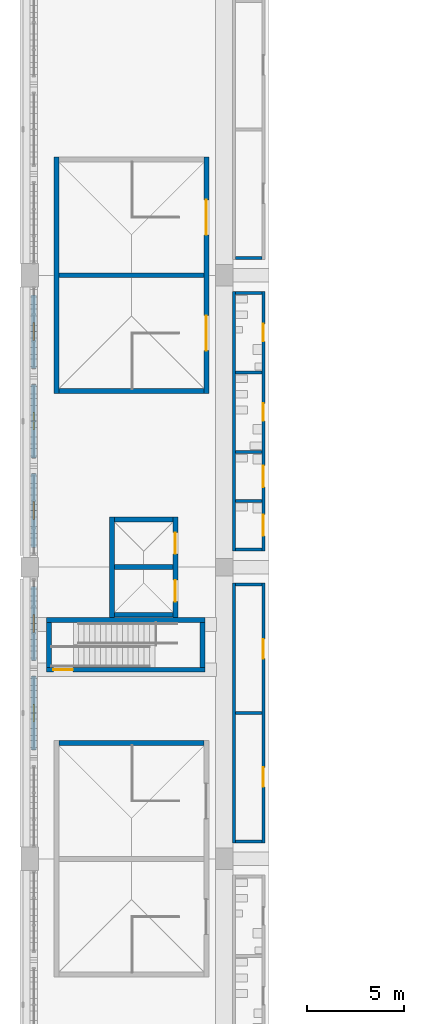
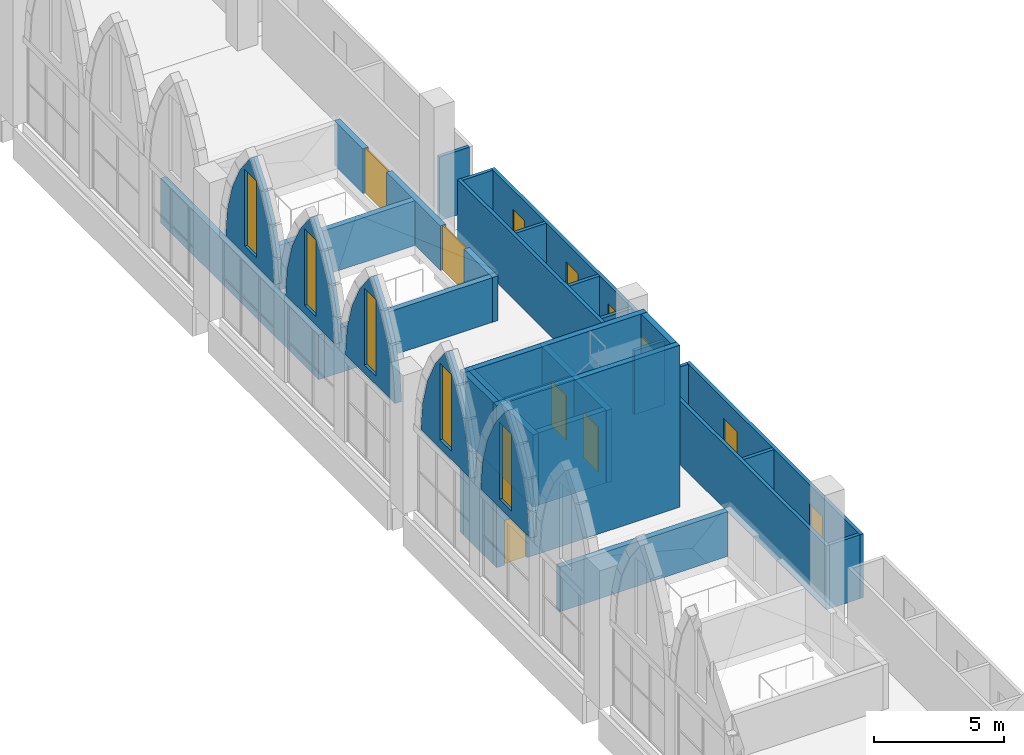
# One storey, part 71 of 130: 32 walls, 11 doors, 5 windows, 16 openings.
"""IFC4 building model written with IfcOpenShell, lengths in metres."""

from ifc_helpers import new_model, si_unit, direction, frame, frame_2d, origin, place, context, subcontext, project, spatial, polyline, rectangle, outline, extrude, material, layer, layer_set, type_object, element, fill, save


model = new_model("IFC4")

# Units and contexts
model_context = context("Model", 3, precision=1e-05, world=origin(), true_north=direction((0.0, 1.0)))
body_context = subcontext(model_context, "Body", "Model", "MODEL_VIEW")
ifc_project = project(units=[si_unit("LENGTHUNIT", "METRE"), si_unit("AREAUNIT", "SQUARE_METRE"), si_unit("VOLUMEUNIT", "CUBIC_METRE"), si_unit("PLANEANGLEUNIT", "RADIAN"), si_unit("MASSUNIT", "GRAM", prefix="KILO")], contexts=[model_context])

# Site, building, storey
site_placement = place(None, origin())
site = spatial("IfcSite", under=ifc_project, at=site_placement, CompositionType="ELEMENT")
building_placement = place(site_placement, origin())
building = spatial("IfcBuilding", under=site, at=building_placement, Name="Ogive Plaza Stadium", CompositionType="ELEMENT")
storey_placement = place(building_placement, frame((0.0, 0.0, 22.5)))
storey = spatial("IfcBuildingStorey", under=building, at=storey_placement, Name="L05", CompositionType="ELEMENT", Elevation=22.5)

# Wall, openings, doors
ifc_material_1 = material(Name="Masonry blockwork", Category="masonry")
ifc_layer_1 = layer(ifc_material_1, 0.14990234375)
ifc_layer_set_1 = layer_set([ifc_layer_1], Name="Blockwork wall 150")
wall_type_1 = type_object("IfcWallType", Name="Blockwork wall 150", PredefinedType="SOLIDWALL", material=ifc_layer_set_1)
wall_1_placement = place(storey_placement, frame((-72.0, -6.675048828125, 0.0), z_axis=(0.0, 0.0, 1.0), x_axis=(0.0, 1.0, 0.0)))
wall_1 = element("IfcWall", 1, at=wall_1_placement, inside=storey, type_object=wall_type_1, Name="Wall L05 B24", PredefinedType="SOLIDWALL", context=body_context, shape_type="SweptSolid", body=[
    extrude(rectangle(XDim=13.35009765625, YDim=0.14990234375, at=frame_2d((6.675048828125, 0.0))), origin(), (0.0, 0.0, 1.0), 3.0),
])
opening_1_placement = place(wall_1_placement, frame((2.875, 0.0, 0.0)))
opening_1 = element("IfcOpeningElement", 2, at=opening_1_placement, cuts=wall_1, Name="Opening D0987", PredefinedType="OPENING", context=body_context, shape_type="SweptSolid", body=[
    extrude(rectangle(XDim=1.0, YDim=2.10009765625, at=frame_2d((0.5, 1.050048828125))), frame((0.0, 0.074951171875, 0.0), z_axis=(0.0, -1.0, 0.0), x_axis=(1.0, 0.0, 0.0)), (0.0, 0.0, 1.0), 0.14990234375),
])
opening_2_placement = place(wall_1_placement, frame((9.47509765625, 0.0, 0.0)))
opening_2 = element("IfcOpeningElement", 3, at=opening_2_placement, cuts=wall_1, Name="Opening D0988", PredefinedType="OPENING", context=body_context, shape_type="SweptSolid", body=[
    extrude(rectangle(XDim=1.0, YDim=2.10009765625, at=frame_2d((0.5, 1.050048828125))), frame((0.0, 0.074951171875, 0.0), z_axis=(0.0, -1.0, 0.0), x_axis=(1.0, 0.0, 0.0)), (0.0, 0.0, 1.0), 0.14990234375),
])
ifc_material_2 = material(Name="Steel ASTM A572 Grade 50", Category="steel")
door_type_1 = type_object("IfcDoorType", Name="Door 1000 x 2100", OperationType="SINGLE_SWING_LEFT", PredefinedType="DOOR", material=ifc_material_2)
door_1_placement = place(opening_1_placement, origin())
door_1 = element("IfcDoor", 4, at=door_1_placement, inside=storey, type_object=door_type_1, Name="Concession Stand B24 door", OperationType="SINGLE_SWING_LEFT", OverallHeight=2.10009765625, OverallWidth=1.0, PredefinedType="DOOR", context=body_context, shape_type="SweptSolid", body=[
    extrude(rectangle(XDim=1.0, YDim=2.10009765625, at=frame_2d((0.5, 1.050048828125))), frame((0.0, 0.02490234375, 0.0), z_axis=(0.0, -1.0, 0.0), x_axis=(1.0, 0.0, 0.0)), (0.0, 0.0, 1.0), 0.050048828125),
])
fill(opening_1, door_1)
door_2_placement = place(opening_2_placement, origin())
door_2 = element("IfcDoor", 5, at=door_2_placement, inside=storey, type_object=door_type_1, Name="Concession Stand B24 door", OperationType="SINGLE_SWING_RIGHT", OverallHeight=2.10009765625, OverallWidth=1.0, PredefinedType="DOOR", context=body_context, shape_type="SweptSolid", body=[
    extrude(rectangle(XDim=1.0, YDim=2.10009765625, at=frame_2d((0.5, 1.050048828125))), frame((0.0, 0.02490234375, 0.0), z_axis=(0.0, -1.0, 0.0), x_axis=(1.0, 0.0, 0.0)), (0.0, 0.0, 1.0), 0.050048828125),
])
fill(opening_2, door_2)

# Walls
wall_2_placement = place(storey_placement, frame((-73.5, -6.675048828125, 0.0), z_axis=(0.0, 0.0, 1.0), x_axis=(0.0, 1.0, 0.0)))
element("IfcWall", 6, at=wall_2_placement, inside=storey, type_object=wall_type_1, Name="Wall L05 B24", PredefinedType="SOLIDWALL", context=body_context, shape_type="SweptSolid", body=[
    extrude(rectangle(XDim=13.35009765625, YDim=0.14990234375, at=frame_2d((6.675048828125, 0.0))), origin(), (0.0, 0.0, 1.0), 3.0),
])
for number, where, z_axis, x_axis, name in (
    (7, (-72.074951171875, -6.60009765625, 0.0), (0.0, 0.0, 1.0), (-1.0, 0.0, 0.0), "Wall L05 B24"),
    (8, (-72.074951171875, 0.0, 0.0), (0.0, 0.0, 1.0), (-1.0, 0.0, 0.0), "Wall L05 B24"),
    (9, (-72.074951171875, 6.60009765625, 0.0), (0.0, 0.0, 1.0), (-1.0, 0.0, 0.0), "Wall L05 B24"),
    (10, (-72.074951171875, 23.39990234375, 0.0), (0.0, 0.0, 1.0), (-1.0, 0.0, 0.0), "Wall L05 B26"),
):
    element("IfcWall", number, at=place(storey_placement, frame(where, z_axis=z_axis, x_axis=x_axis)), inside=storey, type_object=wall_type_1, Name=name, PredefinedType="SOLIDWALL", context=body_context, shape_type="SweptSolid", body=[
        extrude(rectangle(XDim=1.35009765625, YDim=0.14990234375, at=frame_2d((0.675048828125, 0.0))), origin(), (0.0, 0.0, 1.0), 3.0),
    ])
ifc_material_3 = material(Name="Concrete C40/50", Category="concrete")
ifc_layer_2 = layer(ifc_material_3, 0.25)
ifc_layer_set_2 = layer_set([ifc_layer_2], Name="Concrete C40/50")
wall_type_2 = type_object("IfcWallType", Name="Core wall 250", PredefinedType="SHEAR", material=ifc_layer_set_2)
wall_3_placement = place(storey_placement, frame((-75.050048828125, -1.550048828125, 0.0), z_axis=(0.0, 0.0, 1.0), x_axis=(-1.0, 0.0, 0.0)))
element("IfcWall", 11, at=wall_3_placement, inside=storey, type_object=wall_type_2, Name="Stair core R24 side wall", PredefinedType="SHEAR", context=body_context, shape_type="SweptSolid", body=[
    extrude(rectangle(XDim=7.4599609375, YDim=0.25, at=frame_2d((3.72998046875, 0.0))), origin(), (0.0, 0.0, 1.0), 2.10009765625),
])

# Wall, openings, doors
wall_4_placement = place(storey_placement, frame((-74.925048828125, 28.574951171875, 0.0), z_axis=(0.0, 0.0, 1.0), x_axis=(0.0, -1.0, 0.0)))
wall_4 = element("IfcWall", 12, at=wall_4_placement, inside=storey, type_object=wall_type_2, Name="Stair core R26 inner wall", PredefinedType="SHEAR", context=body_context, shape_type="SweptSolid", body=[
    extrude(rectangle(XDim=12.14990234375, YDim=0.25, at=frame_2d((6.074951171875, 0.0))), origin(), (0.0, 0.0, 1.0), 2.10009765625),
])
opening_3_placement = place(wall_4_placement, frame((2.199951171875, 0.0, 0.0)))
opening_3 = element("IfcOpeningElement", 13, at=opening_3_placement, cuts=wall_4, Name="Opening D0207", PredefinedType="OPENING", context=body_context, shape_type="SweptSolid", body=[
    extrude(rectangle(XDim=1.800048828125, YDim=2.10009765625, at=frame_2d((0.89990234375, 1.050048828125))), frame((0.0, 0.125, 0.0), z_axis=(0.0, -1.0, 0.0), x_axis=(1.0, 0.0, 0.0)), (0.0, 0.0, 1.0), 0.25),
])
opening_4_placement = place(wall_4_placement, frame((8.14990234375, 0.0, 0.0)))
opening_4 = element("IfcOpeningElement", 14, at=opening_4_placement, cuts=wall_4, Name="Opening D0208", PredefinedType="OPENING", context=body_context, shape_type="SweptSolid", body=[
    extrude(rectangle(XDim=1.800048828125, YDim=2.10009765625, at=frame_2d((0.89990234375, 1.050048828125))), frame((0.0, 0.125, 0.0), z_axis=(0.0, -1.0, 0.0), x_axis=(1.0, 0.0, 0.0)), (0.0, 0.0, 1.0), 0.25),
])
ifc_material_4 = material(Name="Steel ASTM A572 Grade 50", Category="steel")
door_type_2 = type_object("IfcDoorType", Name="Fire door FD90 pair 1800 x 2100", OperationType="DOUBLE_DOOR_SINGLE_SWING", PredefinedType="DOOR", material=ifc_material_4)
door_3_placement = place(opening_3_placement, origin())
door_3 = element("IfcDoor", 15, at=door_3_placement, inside=storey, type_object=door_type_2, Name="Exit stair R26A door L05", OperationType="DOUBLE_DOOR_SINGLE_SWING", OverallHeight=2.10009765625, OverallWidth=1.800048828125, PredefinedType="DOOR", context=body_context, shape_type="SweptSolid", body=[
    extrude(rectangle(XDim=1.800048828125, YDim=2.10009765625, at=frame_2d((0.89990234375, 1.050048828125))), frame((0.0, 0.02490234375, 0.0), z_axis=(0.0, -1.0, 0.0), x_axis=(1.0, 0.0, 0.0)), (0.0, 0.0, 1.0), 0.050048828125),
])
fill(opening_3, door_3)
door_4_placement = place(opening_4_placement, origin())
door_4 = element("IfcDoor", 16, at=door_4_placement, inside=storey, type_object=door_type_2, Name="Exit stair R26B door L05", OperationType="DOUBLE_DOOR_SINGLE_SWING", OverallHeight=2.10009765625, OverallWidth=1.800048828125, PredefinedType="DOOR", context=body_context, shape_type="SweptSolid", body=[
    extrude(rectangle(XDim=1.800048828125, YDim=2.10009765625, at=frame_2d((0.89990234375, 1.050048828125))), frame((0.0, 0.02490234375, 0.0), z_axis=(0.0, -1.0, 0.0), x_axis=(1.0, 0.0, 0.0)), (0.0, 0.0, 1.0), 0.050048828125),
])
fill(opening_4, door_4)

# Walls
wall_5_placement = place(storey_placement, frame((-82.635009765625, 28.574951171875, 0.0), z_axis=(0.0, 0.0, 1.0), x_axis=(0.0, -1.0, 0.0)))
element("IfcWall", 17, at=wall_5_placement, inside=storey, type_object=wall_type_2, Name="Stair core R26 outer wall", PredefinedType="SHEAR", context=body_context, shape_type="SweptSolid", body=[
    extrude(rectangle(XDim=12.14990234375, YDim=0.25, at=frame_2d((6.074951171875, 0.0))), origin(), (0.0, 0.0, 1.0), 2.10009765625),
])
for number, where, z_axis, x_axis, name in (
    (18, (-75.050048828125, 16.550048828125, 0.0), (0.0, 0.0, 1.0), (-1.0, 0.0, 0.0), "Stair core R26 side wall"),
    (19, (-75.050048828125, 22.5, 0.0), (0.0, 0.0, 1.0), (-1.0, 0.0, 0.0), "Stair core R26 centre wall"),
):
    element("IfcWall", number, at=place(storey_placement, frame(where, z_axis=z_axis, x_axis=x_axis)), inside=storey, type_object=wall_type_2, Name=name, PredefinedType="SHEAR", context=body_context, shape_type="SweptSolid", body=[
        extrude(rectangle(XDim=7.4599609375, YDim=0.25, at=frame_2d((3.72998046875, 0.0))), origin(), (0.0, 0.0, 1.0), 2.10009765625),
    ])

# Wall, openings, doors
ifc_material_5 = material(Name="Concrete C40/50", Category="concrete")
ifc_layer_3 = layer(ifc_material_5, 0.25)
ifc_layer_set_3 = layer_set([ifc_layer_3], Name="Concrete C40/50")
wall_type_3 = type_object("IfcWallType", Name="Core wall 250 A", PredefinedType="SHEAR", material=ifc_layer_set_3)
wall_6_placement = place(storey_placement, frame((-76.52490234375, 10.074951171875, 0.0), z_axis=(0.0, 0.0, 1.0), x_axis=(0.0, -1.0, 0.0)))
wall_6 = element("IfcWall", 20, at=wall_6_placement, inside=storey, type_object=wall_type_3, Name="Lift core LP25 landing wall", PredefinedType="SHEAR", context=body_context, shape_type="SweptSolid", body=[
    extrude(rectangle(XDim=5.175048828125, YDim=0.25, at=frame_2d((2.58740234375, 0.0))), origin(), (0.0, 0.0, 1.0), 3.39990234375),
])
opening_5_placement = place(wall_6_placement, frame((0.800048828125, 0.0, 0.0)))
opening_5 = element("IfcOpeningElement", 21, at=opening_5_placement, cuts=wall_6, Name="Opening LD068", PredefinedType="OPENING", context=body_context, shape_type="SweptSolid", body=[
    extrude(rectangle(XDim=1.10009765625, YDim=2.10009765625, at=frame_2d((0.550048828125, 1.050048828125))), frame((0.0, 0.125, 0.0), z_axis=(0.0, -1.0, 0.0), x_axis=(1.0, 0.0, 0.0)), (0.0, 0.0, 1.0), 0.25),
])
opening_6_placement = place(wall_6_placement, frame((3.25, 0.0, 0.0)))
opening_6 = element("IfcOpeningElement", 22, at=opening_6_placement, cuts=wall_6, Name="Opening LD069", PredefinedType="OPENING", context=body_context, shape_type="SweptSolid", body=[
    extrude(rectangle(XDim=1.10009765625, YDim=2.10009765625, at=frame_2d((0.550048828125, 1.050048828125))), frame((0.0, 0.125, 0.0), z_axis=(0.0, -1.0, 0.0), x_axis=(1.0, 0.0, 0.0)), (0.0, 0.0, 1.0), 0.25),
])
ifc_material_6 = material(Name="Steel ASTM A572 Grade 50", Category="steel")
door_type_3 = type_object("IfcDoorType", Name="Landing door 1100 x 2100", OperationType="SLIDING_TO_LEFT", PredefinedType="DOOR", material=ifc_material_6)
door_5_placement = place(opening_5_placement, origin())
door_5 = element("IfcDoor", 23, at=door_5_placement, inside=storey, type_object=door_type_3, Name="Lift landing door LP25 L05", OperationType="SLIDING_TO_LEFT", OverallHeight=2.10009765625, OverallWidth=1.10009765625, PredefinedType="DOOR", context=body_context, shape_type="SweptSolid", body=[
    extrude(rectangle(XDim=1.10009765625, YDim=2.10009765625, at=frame_2d((0.550048828125, 1.050048828125))), frame((0.0, 0.02490234375, 0.0), z_axis=(0.0, -1.0, 0.0), x_axis=(1.0, 0.0, 0.0)), (0.0, 0.0, 1.0), 0.050048828125),
])
fill(opening_5, door_5)
door_6_placement = place(opening_6_placement, origin())
door_6 = element("IfcDoor", 24, at=door_6_placement, inside=storey, type_object=door_type_3, Name="Lift landing door LP25 L05", OperationType="SLIDING_TO_LEFT", OverallHeight=2.10009765625, OverallWidth=1.10009765625, PredefinedType="DOOR", context=body_context, shape_type="SweptSolid", body=[
    extrude(rectangle(XDim=1.10009765625, YDim=2.10009765625, at=frame_2d((0.550048828125, 1.050048828125))), frame((0.0, 0.02490234375, 0.0), z_axis=(0.0, -1.0, 0.0), x_axis=(1.0, 0.0, 0.0)), (0.0, 0.0, 1.0), 0.050048828125),
])
fill(opening_6, door_6)

# Walls
wall_7_placement = place(storey_placement, frame((-79.77490234375, 10.074951171875, 0.0), z_axis=(0.0, 0.0, 1.0), x_axis=(0.0, -1.0, 0.0)))
element("IfcWall", 25, at=wall_7_placement, inside=storey, type_object=wall_type_3, Name="Lift core LP25 rear wall", PredefinedType="SHEAR", context=body_context, shape_type="SweptSolid", body=[
    extrude(rectangle(XDim=5.175048828125, YDim=0.25, at=frame_2d((2.58740234375, 0.0))), origin(), (0.0, 0.0, 1.0), 3.39990234375),
])
for number, where, z_axis, x_axis, name in (
    (26, (-76.64990234375, 9.949951171875, 0.0), (0.0, 0.0, 1.0), (-1.0, 0.0, 0.0), "Lift core LP25 side wall"),
    (27, (-76.64990234375, 5.050048828125, 0.0), (0.0, 0.0, 1.0), (-1.0, 0.0, 0.0), "Lift core LP25 side wall"),
    (28, (-76.64990234375, 7.5, 0.0), (0.0, 0.0, 1.0), (-1.0, 0.0, 0.0), "Lift core LP25 centre wall"),
):
    element("IfcWall", number, at=place(storey_placement, frame(where, z_axis=z_axis, x_axis=x_axis)), inside=storey, type_object=wall_type_3, Name=name, PredefinedType="SHEAR", context=body_context, shape_type="SweptSolid", body=[
        extrude(rectangle(XDim=3.0, YDim=0.25, at=frame_2d((1.5, 0.0))), origin(), (0.0, 0.0, 1.0), 3.39990234375),
    ])
ifc_material_7 = material(Name="Concrete C40/50", Category="concrete")
ifc_layer_4 = layer(ifc_material_7, 0.25)
ifc_layer_set_4 = layer_set([ifc_layer_4], Name="Concrete C40/50")
wall_type_4 = type_object("IfcWallType", Name="Core wall 250 B", PredefinedType="SHEAR", material=ifc_layer_set_4)
wall_8_placement = place(storey_placement, frame((-75.0, 4.77490234375, 0.0), z_axis=(0.0, 0.0, 1.0), x_axis=(-1.0, 0.0, 0.0)))
element("IfcWall", 29, at=wall_8_placement, inside=storey, type_object=wall_type_4, Name="Roof access stair RA2 wall", PredefinedType="SHEAR", context=body_context, shape_type="SweptSolid", body=[
    extrude(rectangle(XDim=8.139892578125, YDim=0.25, at=frame_2d((4.06982421875, 0.0))), origin(), (0.0, 0.0, 1.0), 7.60009765625),
])

# Wall, opening, door
wall_9_placement = place(storey_placement, frame((-75.0, 2.22509765625, 0.0), z_axis=(0.0, 0.0, 1.0), x_axis=(-1.0, 0.0, 0.0)))
wall_9 = element("IfcWall", 30, at=wall_9_placement, inside=storey, type_object=wall_type_4, Name="Roof access stair RA2 wall", PredefinedType="SHEAR", context=body_context, shape_type="SweptSolid", body=[
    extrude(rectangle(XDim=8.139892578125, YDim=0.25, at=frame_2d((4.06982421875, 0.0))), origin(), (0.0, 0.0, 1.0), 7.60009765625),
])
opening_7_placement = place(wall_9_placement, frame((6.7900390625, 0.0, 0.0)))
opening_7 = element("IfcOpeningElement", 31, at=opening_7_placement, cuts=wall_9, Name="Opening D1058", PredefinedType="OPENING", context=body_context, shape_type="SweptSolid", body=[
    extrude(rectangle(XDim=1.0, YDim=2.10009765625, at=frame_2d((0.5, 1.050048828125))), frame((0.0, 0.125, 0.0), z_axis=(0.0, -1.0, 0.0), x_axis=(1.0, 0.0, 0.0)), (0.0, 0.0, 1.0), 0.25),
])
ifc_material_8 = material(Name="Steel ASTM A572 Grade 50", Category="steel")
door_type_4 = type_object("IfcDoorType", Name="Fire door FD90 1000 x 2100", OperationType="SINGLE_SWING_LEFT", PredefinedType="DOOR", material=ifc_material_8)
door_7_placement = place(opening_7_placement, origin())
door_7 = element("IfcDoor", 32, at=door_7_placement, inside=storey, type_object=door_type_4, Name="Roof access stair RA2 door", OperationType="SINGLE_SWING_RIGHT", OverallHeight=2.10009765625, OverallWidth=1.0, PredefinedType="DOOR", context=body_context, shape_type="SweptSolid", body=[
    extrude(rectangle(XDim=1.0, YDim=2.10009765625, at=frame_2d((0.5, 1.050048828125))), frame((0.0, 0.02490234375, 0.0), z_axis=(0.0, -1.0, 0.0), x_axis=(1.0, 0.0, 0.0)), (0.0, 0.0, 1.0), 0.050048828125),
])
fill(opening_7, door_7)

# Walls
for number, where, z_axis, x_axis, name in (
    (33, (-75.125, 4.64990234375, 0.0), (0.0, 0.0, 1.0), (0.0, -1.0, 0.0), "Roof access stair RA2 wall"),
    (34, (-83.014892578125, 4.64990234375, 0.0), (0.0, 0.0, 1.0), (0.0, -1.0, 0.0), "Roof access stair RA2 wall"),
):
    element("IfcWall", number, at=place(storey_placement, frame(where, z_axis=z_axis, x_axis=x_axis)), inside=storey, type_object=wall_type_4, Name=name, PredefinedType="SHEAR", context=body_context, shape_type="SweptSolid", body=[
        extrude(rectangle(XDim=2.2998046875, YDim=0.25, at=frame_2d((1.14990234375, 0.0))), origin(), (0.0, 0.0, 1.0), 7.60009765625),
    ])

# Wall, openings, doors
ifc_material_9 = material(Name="Gypsum board partition", Category="gypsum")
ifc_layer_5 = layer(ifc_material_9, 0.14990234375)
ifc_layer_set_5 = layer_set([ifc_layer_5], Name="Partition 150")
wall_type_5 = type_object("IfcWallType", Name="Partition 150", PredefinedType="PARTITIONING", material=ifc_layer_set_5)
wall_10_placement = place(storey_placement, frame((-72.0, 21.675048828125, 0.0), z_axis=(0.0, 0.0, 1.0), x_axis=(0.0, -1.0, 0.0)))
wall_10 = element("IfcWall", 35, at=wall_10_placement, inside=storey, type_object=wall_type_5, Name="Wall L05 B25", PredefinedType="PARTITIONING", context=body_context, shape_type="SweptSolid", body=[
    extrude(rectangle(XDim=13.35009765625, YDim=0.14990234375, at=frame_2d((6.675048828125, 0.0))), origin(), (0.0, 0.0, 1.0), 3.0),
])
opening_8_placement = place(wall_10_placement, frame((1.6708984375, 0.0, 0.0)))
opening_8 = element("IfcOpeningElement", 36, at=opening_8_placement, cuts=wall_10, Name="Opening D0989", PredefinedType="OPENING", context=body_context, shape_type="SweptSolid", body=[
    extrude(rectangle(XDim=0.89990234375, YDim=2.10009765625, at=frame_2d((0.449951171875, 1.050048828125))), frame((0.0, 0.074951171875, 0.0), z_axis=(0.0, -1.0, 0.0), x_axis=(1.0, 0.0, 0.0)), (0.0, 0.0, 1.0), 0.14990234375),
])
opening_9_placement = place(wall_10_placement, frame((5.762939453125, 0.0, 0.0)))
opening_9 = element("IfcOpeningElement", 37, at=opening_9_placement, cuts=wall_10, Name="Opening D0990", PredefinedType="OPENING", context=body_context, shape_type="SweptSolid", body=[
    extrude(rectangle(XDim=0.89990234375, YDim=2.10009765625, at=frame_2d((0.449951171875, 1.050048828125))), frame((0.0, 0.074951171875, 0.0), z_axis=(0.0, -1.0, 0.0), x_axis=(1.0, 0.0, 0.0)), (0.0, 0.0, 1.0), 0.14990234375),
])
opening_10_placement = place(wall_10_placement, frame((8.962890625, 0.0, 0.0)))
opening_10 = element("IfcOpeningElement", 38, at=opening_10_placement, cuts=wall_10, Name="Opening D0991", PredefinedType="OPENING", context=body_context, shape_type="SweptSolid", body=[
    extrude(rectangle(XDim=1.10009765625, YDim=2.10009765625, at=frame_2d((0.550048828125, 1.050048828125))), frame((0.0, 0.074951171875, 0.0), z_axis=(0.0, -1.0, 0.0), x_axis=(1.0, 0.0, 0.0)), (0.0, 0.0, 1.0), 0.14990234375),
])
opening_11_placement = place(wall_10_placement, frame((11.470947265625, 0.0, 0.0)))
opening_11 = element("IfcOpeningElement", 39, at=opening_11_placement, cuts=wall_10, Name="Opening D0992", PredefinedType="OPENING", context=body_context, shape_type="SweptSolid", body=[
    extrude(rectangle(XDim=1.10009765625, YDim=2.10009765625, at=frame_2d((0.550048828125, 1.050048828125))), frame((0.0, 0.074951171875, 0.0), z_axis=(0.0, -1.0, 0.0), x_axis=(1.0, 0.0, 0.0)), (0.0, 0.0, 1.0), 0.14990234375),
])
ifc_material_10 = material(Name="Steel ASTM A572 Grade 50", Category="steel")
door_type_5 = type_object("IfcDoorType", Name="Accessible door 1100 x 2100", OperationType="SINGLE_SWING_LEFT", PredefinedType="DOOR", material=ifc_material_10)
door_8_placement = place(opening_10_placement, origin())
door_8 = element("IfcDoor", 40, at=door_8_placement, inside=storey, type_object=door_type_5, Name="Accessible WC B25 door", OperationType="SINGLE_SWING_RIGHT", OverallHeight=2.10009765625, OverallWidth=1.10009765625, PredefinedType="DOOR", context=body_context, shape_type="SweptSolid", body=[
    extrude(rectangle(XDim=1.10009765625, YDim=2.10009765625, at=frame_2d((0.550048828125, 1.050048828125))), frame((0.0, 0.02490234375, 0.0), z_axis=(0.0, -1.0, 0.0), x_axis=(1.0, 0.0, 0.0)), (0.0, 0.0, 1.0), 0.050048828125),
])
fill(opening_10, door_8)
door_9_placement = place(opening_11_placement, origin())
door_9 = element("IfcDoor", 41, at=door_9_placement, inside=storey, type_object=door_type_5, Name="Family WC B25 door", OperationType="SINGLE_SWING_LEFT", OverallHeight=2.10009765625, OverallWidth=1.10009765625, PredefinedType="DOOR", context=body_context, shape_type="SweptSolid", body=[
    extrude(rectangle(XDim=1.10009765625, YDim=2.10009765625, at=frame_2d((0.550048828125, 1.050048828125))), frame((0.0, 0.02490234375, 0.0), z_axis=(0.0, -1.0, 0.0), x_axis=(1.0, 0.0, 0.0)), (0.0, 0.0, 1.0), 0.050048828125),
])
fill(opening_11, door_9)
ifc_material_11 = material(Name="Steel ASTM A572 Grade 50", Category="steel")
door_type_6 = type_object("IfcDoorType", Name="Door 900 x 2100", OperationType="SINGLE_SWING_LEFT", PredefinedType="DOOR", material=ifc_material_11)
door_10_placement = place(opening_8_placement, origin())
door_10 = element("IfcDoor", 42, at=door_10_placement, inside=storey, type_object=door_type_6, Name="Men's Toilet B25 door", OperationType="SINGLE_SWING_RIGHT", OverallHeight=2.10009765625, OverallWidth=0.89990234375, PredefinedType="DOOR", context=body_context, shape_type="SweptSolid", body=[
    extrude(rectangle(XDim=0.89990234375, YDim=2.10009765625, at=frame_2d((0.449951171875, 1.050048828125))), frame((0.0, 0.02490234375, 0.0), z_axis=(0.0, -1.0, 0.0), x_axis=(1.0, 0.0, 0.0)), (0.0, 0.0, 1.0), 0.050048828125),
])
fill(opening_8, door_10)
door_11_placement = place(opening_9_placement, origin())
door_11 = element("IfcDoor", 43, at=door_11_placement, inside=storey, type_object=door_type_6, Name="Women's Toilet B25 door", OperationType="SINGLE_SWING_LEFT", OverallHeight=2.10009765625, OverallWidth=0.89990234375, PredefinedType="DOOR", context=body_context, shape_type="SweptSolid", body=[
    extrude(rectangle(XDim=0.89990234375, YDim=2.10009765625, at=frame_2d((0.449951171875, 1.050048828125))), frame((0.0, 0.02490234375, 0.0), z_axis=(0.0, -1.0, 0.0), x_axis=(1.0, 0.0, 0.0)), (0.0, 0.0, 1.0), 0.050048828125),
])
fill(opening_9, door_11)

# Walls
wall_11_placement = place(storey_placement, frame((-73.5, 21.675048828125, 0.0), z_axis=(0.0, 0.0, 1.0), x_axis=(0.0, -1.0, 0.0)))
element("IfcWall", 44, at=wall_11_placement, inside=storey, type_object=wall_type_5, Name="Wall L05 B25", PredefinedType="PARTITIONING", context=body_context, shape_type="SweptSolid", body=[
    extrude(rectangle(XDim=13.35009765625, YDim=0.14990234375, at=frame_2d((6.675048828125, 0.0))), origin(), (0.0, 0.0, 1.0), 3.0),
])
for number, where, z_axis, x_axis, name in (
    (45, (-72.074951171875, 21.60009765625, 0.0), (0.0, 0.0, 1.0), (-1.0, 0.0, 0.0), "Wall L05 B25"),
    (46, (-72.074951171875, 17.508056640625, 0.0), (0.0, 0.0, 1.0), (-1.0, 0.0, 0.0), "Wall L05 B25"),
    (47, (-72.074951171875, 13.416015625, 0.0), (0.0, 0.0, 1.0), (-1.0, 0.0, 0.0), "Wall L05 B25"),
    (48, (-72.074951171875, 10.907958984375, 0.0), (0.0, 0.0, 1.0), (-1.0, 0.0, 0.0), "Wall L05 B25"),
    (49, (-72.074951171875, 8.39990234375, 0.0), (0.0, 0.0, 1.0), (-1.0, 0.0, 0.0), "Wall L05 B25"),
):
    element("IfcWall", number, at=place(storey_placement, frame(where, z_axis=z_axis, x_axis=x_axis)), inside=storey, type_object=wall_type_5, Name=name, PredefinedType="PARTITIONING", context=body_context, shape_type="SweptSolid", body=[
        extrude(rectangle(XDim=1.35009765625, YDim=0.14990234375, at=frame_2d((0.675048828125, 0.0))), origin(), (0.0, 0.0, 1.0), 3.0),
    ])

# Wall, opening, window
ifc_material_12 = material(Name="Concrete C45/55 precast", Category="concrete")
ifc_layer_6 = layer(ifc_material_12, 0.25)
ifc_material_13 = material(Name="Cast stone (reconstituted limestone)", Category="masonry")
ifc_layer_7 = layer(ifc_material_13, 0.050048828125)
ifc_layer_set_6 = layer_set([ifc_layer_6, ifc_layer_7], Name="Concrete C45/55 precast, cast stone facing")
wall_type_6 = type_object("IfcWallType", Name="Tympanum wall 300", PredefinedType="SOLIDWALL", material=ifc_layer_set_6)
wall_12_placement = place(storey_placement, frame((-83.800048828125, -1.89990234375, 4.10009765625), z_axis=(0.0, 0.0, 1.0), x_axis=(0.0, 1.0, 0.0)))
wall_12 = element("IfcWall", 50, at=wall_12_placement, inside=storey, type_object=wall_type_6, Name="TYMPANUM B24 2", PredefinedType="SOLIDWALL", context=body_context, shape_type="SweptSolid", body=[
    extrude(outline(polyline([(0.0, 0.0), (3.7998046875, 0.0), (3.800048828125, 0.0498046875), (3.67578125, 1.313720703125), (3.3076171875, 2.5810546875), (2.708740234375, 3.757080078125), (1.89990234375, 4.7998046875), (1.09130859375, 3.757080078125), (0.4921875, 2.5810546875), (0.124267578125, 1.313720703125), (0.0, 0.0498046875), (0.0, 0.0)])), frame((0.0, 0.14990234375, 0.0), z_axis=(0.0, -1.0, 0.0), x_axis=(1.0, 0.0, 0.0)), (0.0, 0.0, 1.0), 0.300048828125),
])
opening_12_placement = place(wall_12_placement, frame((1.449951171875, 0.0, 0.39990234375)))
opening_12 = element("IfcOpeningElement", 51, at=opening_12_placement, cuts=wall_12, Name="Opening W-24-2", PredefinedType="OPENING", context=body_context, shape_type="SweptSolid", body=[
    extrude(rectangle(XDim=0.89990234375, YDim=3.60009765625, at=frame_2d((0.449951171875, 1.800048828125))), frame((0.0, 0.16015625, 0.0), z_axis=(0.0, -1.0, 0.0), x_axis=(1.0, 0.0, 0.0)), (0.0, 0.0, 1.0), 0.320068359375),
])
ifc_material_14 = material(Name="Bronze-anodised aluminium and laminated glass", Category="aluminium")
window_type = type_object("IfcWindowType", Name="Lancet window 900 x 3600", PartitioningType="SINGLE_PANEL", PredefinedType="WINDOW", material=ifc_material_14)
window_1_placement = place(opening_12_placement, origin())
window_1 = element("IfcWindow", 52, at=window_1_placement, inside=storey, type_object=window_type, Name="LANCET WINDOW B24 2", OverallHeight=3.60009765625, OverallWidth=0.89990234375, PartitioningType="SINGLE_PANEL", PredefinedType="WINDOW", context=body_context, shape_type="SweptSolid", body=[
    extrude(rectangle(XDim=0.89990234375, YDim=3.60009765625, at=frame_2d((0.449951171875, 1.800048828125))), frame((0.0, 0.030029296875, 0.0), z_axis=(0.0, -1.0, 0.0), x_axis=(1.0, 0.0, 0.0)), (0.0, 0.0, 1.0), 0.06005859375),
])
fill(opening_12, window_1)

wall_13_placement = place(storey_placement, frame((-83.800048828125, 2.699951171875, 4.10009765625), z_axis=(0.0, 0.0, 1.0), x_axis=(0.0, 1.0, 0.0)))
wall_13 = element("IfcWall", 53, at=wall_13_placement, inside=storey, type_object=wall_type_6, Name="TYMPANUM B24 3", PredefinedType="SOLIDWALL", context=body_context, shape_type="SweptSolid", body=[
    extrude(outline(polyline([(0.0, 0.0), (3.800048828125, 0.0), (3.800048828125, 0.0498046875), (3.67578125, 1.313720703125), (3.3076171875, 2.5810546875), (2.708740234375, 3.757080078125), (1.89990234375, 4.7998046875), (1.09130859375, 3.757080078125), (0.4921875, 2.5810546875), (0.124267578125, 1.313720703125), (0.0, 0.0498046875), (0.0, 0.0)])), frame((0.0, 0.14990234375, 0.0), z_axis=(0.0, -1.0, 0.0), x_axis=(1.0, 0.0, 0.0)), (0.0, 0.0, 1.0), 0.300048828125),
])
opening_13_placement = place(wall_13_placement, frame((1.449951171875, 0.0, 0.39990234375)))
opening_13 = element("IfcOpeningElement", 54, at=opening_13_placement, cuts=wall_13, Name="Opening W-24-3", PredefinedType="OPENING", context=body_context, shape_type="SweptSolid", body=[
    extrude(rectangle(XDim=0.89990234375, YDim=3.60009765625, at=frame_2d((0.449951171875, 1.800048828125))), frame((0.0, 0.16015625, 0.0), z_axis=(0.0, -1.0, 0.0), x_axis=(1.0, 0.0, 0.0)), (0.0, 0.0, 1.0), 0.320068359375),
])
window_2_placement = place(opening_13_placement, origin())
window_2 = element("IfcWindow", 55, at=window_2_placement, inside=storey, type_object=window_type, Name="LANCET WINDOW B24 3", OverallHeight=3.60009765625, OverallWidth=0.89990234375, PartitioningType="SINGLE_PANEL", PredefinedType="WINDOW", context=body_context, shape_type="SweptSolid", body=[
    extrude(rectangle(XDim=0.89990234375, YDim=3.60009765625, at=frame_2d((0.449951171875, 1.800048828125))), frame((0.0, 0.030029296875, 0.0), z_axis=(0.0, -1.0, 0.0), x_axis=(1.0, 0.0, 0.0)), (0.0, 0.0, 1.0), 0.06005859375),
])
fill(opening_13, window_2)

wall_14_placement = place(storey_placement, frame((-83.800048828125, 8.5, 4.10009765625), z_axis=(0.0, 0.0, 1.0), x_axis=(0.0, 1.0, 0.0)))
wall_14 = element("IfcWall", 56, at=wall_14_placement, inside=storey, type_object=wall_type_6, Name="TYMPANUM B25 1", PredefinedType="SOLIDWALL", context=body_context, shape_type="SweptSolid", body=[
    extrude(outline(polyline([(0.0, 0.0), (3.800048828125, 0.0), (3.800048828125, 0.0498046875), (3.67578125, 1.313720703125), (3.3076171875, 2.5810546875), (2.708740234375, 3.757080078125), (1.89990234375, 4.7998046875), (1.09130859375, 3.757080078125), (0.4921875, 2.5810546875), (0.124267578125, 1.313720703125), (0.0, 0.0498046875), (0.0, 0.0)])), frame((0.0, 0.14990234375, 0.0), z_axis=(0.0, -1.0, 0.0), x_axis=(1.0, 0.0, 0.0)), (0.0, 0.0, 1.0), 0.300048828125),
])
opening_14_placement = place(wall_14_placement, frame((1.449951171875, 0.0, 0.39990234375)))
opening_14 = element("IfcOpeningElement", 57, at=opening_14_placement, cuts=wall_14, Name="Opening W-25-1", PredefinedType="OPENING", context=body_context, shape_type="SweptSolid", body=[
    extrude(rectangle(XDim=0.89990234375, YDim=3.60009765625, at=frame_2d((0.449951171875, 1.800048828125))), frame((0.0, 0.16015625, 0.0), z_axis=(0.0, -1.0, 0.0), x_axis=(1.0, 0.0, 0.0)), (0.0, 0.0, 1.0), 0.320068359375),
])
window_3_placement = place(opening_14_placement, origin())
window_3 = element("IfcWindow", 58, at=window_3_placement, inside=storey, type_object=window_type, Name="LANCET WINDOW B25 1", OverallHeight=3.60009765625, OverallWidth=0.89990234375, PartitioningType="SINGLE_PANEL", PredefinedType="WINDOW", context=body_context, shape_type="SweptSolid", body=[
    extrude(rectangle(XDim=0.89990234375, YDim=3.60009765625, at=frame_2d((0.449951171875, 1.800048828125))), frame((0.0, 0.030029296875, 0.0), z_axis=(0.0, -1.0, 0.0), x_axis=(1.0, 0.0, 0.0)), (0.0, 0.0, 1.0), 0.06005859375),
])
fill(opening_14, window_3)

wall_15_placement = place(storey_placement, frame((-83.800048828125, 13.10009765625, 4.10009765625), z_axis=(0.0, 0.0, 1.0), x_axis=(0.0, 1.0, 0.0)))
wall_15 = element("IfcWall", 59, at=wall_15_placement, inside=storey, type_object=wall_type_6, Name="TYMPANUM B25 2", PredefinedType="SOLIDWALL", context=body_context, shape_type="SweptSolid", body=[
    extrude(outline(polyline([(0.0, 0.0), (3.7998046875, 0.0), (3.800048828125, 0.0498046875), (3.67578125, 1.313720703125), (3.3076171875, 2.5810546875), (2.708740234375, 3.757080078125), (1.89990234375, 4.7998046875), (1.09130859375, 3.757080078125), (0.4921875, 2.5810546875), (0.124267578125, 1.313720703125), (0.0, 0.0498046875), (0.0, 0.0)])), frame((0.0, 0.14990234375, 0.0), z_axis=(0.0, -1.0, 0.0), x_axis=(1.0, 0.0, 0.0)), (0.0, 0.0, 1.0), 0.300048828125),
])
opening_15_placement = place(wall_15_placement, frame((1.449951171875, 0.0, 0.39990234375)))
opening_15 = element("IfcOpeningElement", 60, at=opening_15_placement, cuts=wall_15, Name="Opening W-25-2", PredefinedType="OPENING", context=body_context, shape_type="SweptSolid", body=[
    extrude(rectangle(XDim=0.89990234375, YDim=3.60009765625, at=frame_2d((0.449951171875, 1.800048828125))), frame((0.0, 0.16015625, 0.0), z_axis=(0.0, -1.0, 0.0), x_axis=(1.0, 0.0, 0.0)), (0.0, 0.0, 1.0), 0.320068359375),
])
window_4_placement = place(opening_15_placement, origin())
window_4 = element("IfcWindow", 61, at=window_4_placement, inside=storey, type_object=window_type, Name="LANCET WINDOW B25 2", OverallHeight=3.60009765625, OverallWidth=0.89990234375, PartitioningType="SINGLE_PANEL", PredefinedType="WINDOW", context=body_context, shape_type="SweptSolid", body=[
    extrude(rectangle(XDim=0.89990234375, YDim=3.60009765625, at=frame_2d((0.449951171875, 1.800048828125))), frame((0.0, 0.030029296875, 0.0), z_axis=(0.0, -1.0, 0.0), x_axis=(1.0, 0.0, 0.0)), (0.0, 0.0, 1.0), 0.06005859375),
])
fill(opening_15, window_4)

wall_16_placement = place(storey_placement, frame((-83.800048828125, 17.699951171875, 4.10009765625), z_axis=(0.0, 0.0, 1.0), x_axis=(0.0, 1.0, 0.0)))
wall_16 = element("IfcWall", 62, at=wall_16_placement, inside=storey, type_object=wall_type_6, Name="TYMPANUM B25 3", PredefinedType="SOLIDWALL", context=body_context, shape_type="SweptSolid", body=[
    extrude(outline(polyline([(0.0, 0.0), (3.800048828125, 0.0), (3.800048828125, 0.0498046875), (3.67578125, 1.313720703125), (3.3076171875, 2.5810546875), (2.708740234375, 3.757080078125), (1.89990234375, 4.7998046875), (1.09130859375, 3.757080078125), (0.4921875, 2.5810546875), (0.124267578125, 1.313720703125), (0.0, 0.0498046875), (0.0, 0.0)])), frame((0.0, 0.14990234375, 0.0), z_axis=(0.0, -1.0, 0.0), x_axis=(1.0, 0.0, 0.0)), (0.0, 0.0, 1.0), 0.300048828125),
])
opening_16_placement = place(wall_16_placement, frame((1.449951171875, 0.0, 0.39990234375)))
opening_16 = element("IfcOpeningElement", 63, at=opening_16_placement, cuts=wall_16, Name="Opening W-25-3", PredefinedType="OPENING", context=body_context, shape_type="SweptSolid", body=[
    extrude(rectangle(XDim=0.89990234375, YDim=3.60009765625, at=frame_2d((0.449951171875, 1.800048828125))), frame((0.0, 0.16015625, 0.0), z_axis=(0.0, -1.0, 0.0), x_axis=(1.0, 0.0, 0.0)), (0.0, 0.0, 1.0), 0.320068359375),
])
window_5_placement = place(opening_16_placement, origin())
window_5 = element("IfcWindow", 64, at=window_5_placement, inside=storey, type_object=window_type, Name="LANCET WINDOW B25 3", OverallHeight=3.60009765625, OverallWidth=0.89990234375, PartitioningType="SINGLE_PANEL", PredefinedType="WINDOW", context=body_context, shape_type="SweptSolid", body=[
    extrude(rectangle(XDim=0.89990234375, YDim=3.60009765625, at=frame_2d((0.449951171875, 1.800048828125))), frame((0.0, 0.030029296875, 0.0), z_axis=(0.0, -1.0, 0.0), x_axis=(1.0, 0.0, 0.0)), (0.0, 0.0, 1.0), 0.06005859375),
])
fill(opening_16, window_5)

save(model, "model.ifc")
